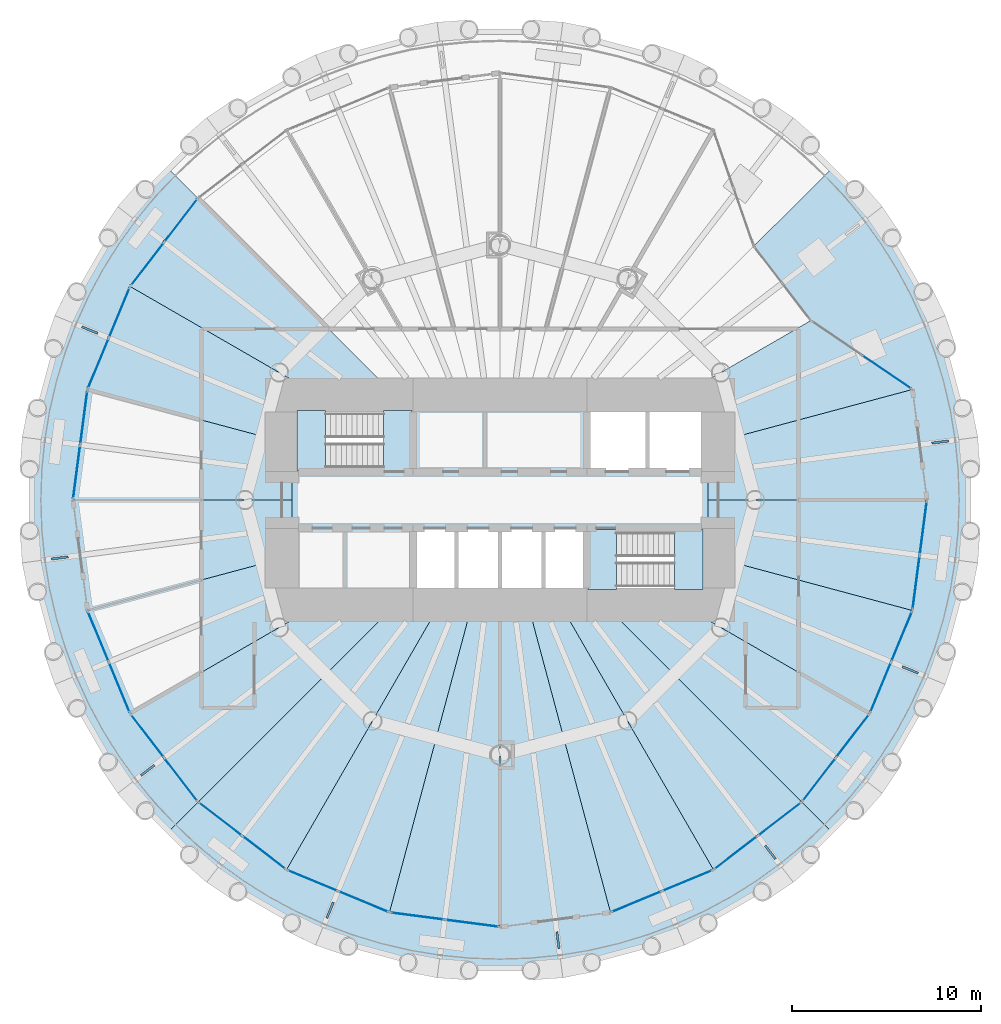
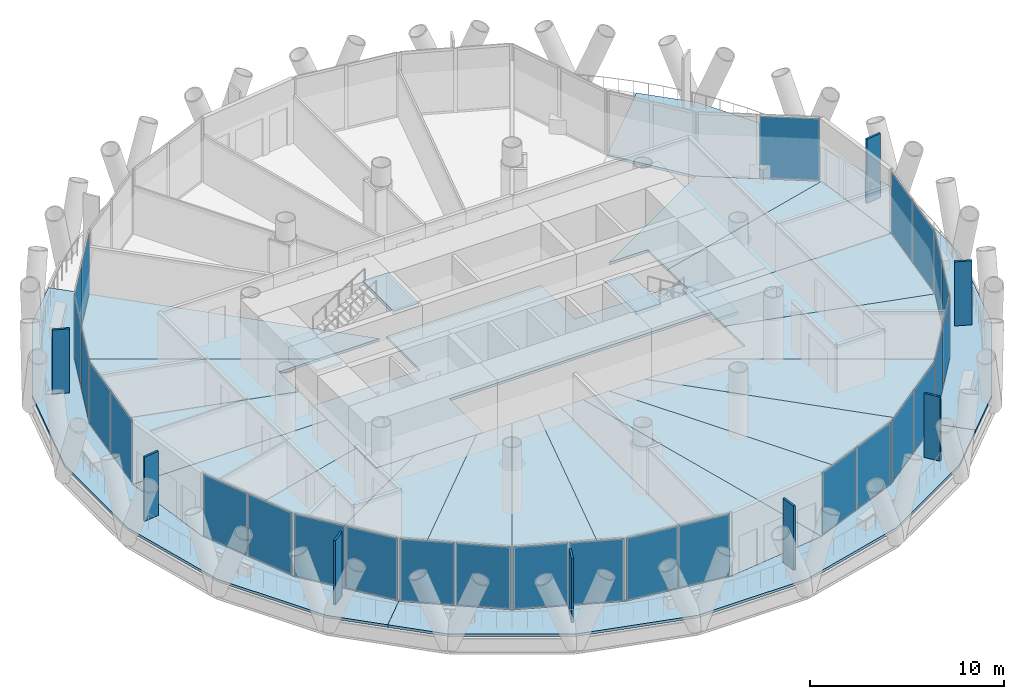
# One storey, part 8 of 16: 35 plates, 25 slabs, 16 elements without a shape of their own.
"""IFC4 building model written with IfcOpenShell, lengths in metres."""

from ifc_helpers import new_model, si_unit, direction, frame, origin, origin_2d, place, context, subcontext, project, spatial, polyline, rectangle, outline, extrude, material, layer, layer_set, type_object, element, aggregate, save


model = new_model("IFC4")

# Units and contexts
model_context = context("Model", 3, precision=1e-05, world=origin(), true_north=direction((0.0, 1.0)))
body_context = subcontext(model_context, "Body", "Model", "MODEL_VIEW")
ifc_project = project(units=[si_unit("LENGTHUNIT", "METRE"), si_unit("AREAUNIT", "SQUARE_METRE"), si_unit("VOLUMEUNIT", "CUBIC_METRE"), si_unit("PLANEANGLEUNIT", "RADIAN"), si_unit("MASSUNIT", "GRAM", prefix="KILO")], contexts=[model_context])

# Site, building, storey
site_placement = place(None, origin())
site = spatial("IfcSite", under=ifc_project, at=site_placement, CompositionType="ELEMENT")
building_placement = place(site_placement, origin())
building = spatial("IfcBuilding", under=site, at=building_placement, Name="Qaws Media Tower", CompositionType="ELEMENT")
storey_placement = place(building_placement, frame((0.0, 0.0, 135.199951171875)))
storey = spatial("IfcBuildingStorey", under=building, at=storey_placement, Name="L30", CompositionType="ELEMENT", Elevation=135.199951171875)

# Slabs
ifc_material_1 = material(Name="Concrete C35/45", Category="concrete")
ifc_layer_1 = layer(ifc_material_1, 0.159912109375)
ifc_layer_set_1 = layer_set([ifc_layer_1], Name="Composite balcony slab 160")
slab_type_1 = type_object("IfcSlabType", Name="Composite balcony slab 160", PredefinedType="FLOOR", material=ifc_layer_set_1)
slab_1_placement = place(storey_placement, frame((0.0, 0.0, -0.159912109375)))
element("IfcSlab", 1, at=slab_1_placement, inside=storey, type_object=slab_type_1, Name="S2 balcony slab L30 R10 to R16, movement joints on R10 and R16", PredefinedType="FLOOR", context=body_context, shape_type="SweptSolid", body=[
    extrude(outline(polyline([(40.166259765625, 34.781005859375), (36.903076171875, 40.432861328125), (35.2138671875, 46.73681640625), (35.2138671875, 53.26318359375), (36.903076171875, 59.567138671875), (40.166259765625, 65.218994140625), (42.4736328125, 67.5263671875), (44.019287109375, 65.980712890625), (40.427734375, 61.300048828125), (38.170166015625, 55.849365234375), (37.39990234375, 50.0), (38.170166015625, 44.150634765625), (40.427734375, 38.699951171875), (44.019287109375, 34.019287109375), (42.4736328125, 32.4736328125), (40.166259765625, 34.781005859375)])), origin(), (0.0, 0.0, 1.0), 0.159912109375),
])
slab_2_placement = place(storey_placement, frame((0.0, 0.0, -0.159912109375)))
element("IfcSlab", 2, at=slab_2_placement, inside=storey, type_object=slab_type_1, Name="S2 balcony slab L30 R16 to R22, movement joints on R16 and R22", PredefinedType="FLOOR", context=body_context, shape_type="SweptSolid", body=[
    extrude(outline(polyline([(75.218994140625, 30.166259765625), (69.567138671875, 26.903076171875), (63.26318359375, 25.2138671875), (56.73681640625, 25.2138671875), (50.432861328125, 26.903076171875), (44.781005859375, 30.166259765625), (42.4736328125, 32.4736328125), (44.019287109375, 34.019287109375), (48.699951171875, 30.427734375), (54.150634765625, 28.170166015625), (60.0, 27.39990234375), (65.849365234375, 28.170166015625), (71.300048828125, 30.427734375), (75.980712890625, 34.019287109375), (77.5263671875, 32.4736328125), (75.218994140625, 30.166259765625)])), origin(), (0.0, 0.0, 1.0), 0.159912109375),
])
slab_3_placement = place(storey_placement, frame((0.0, 0.0, -0.159912109375)))
element("IfcSlab", 3, at=slab_3_placement, inside=storey, type_object=slab_type_1, Name="S2 balcony slab L30 R22 to R04, movement joints on R22 and R04", PredefinedType="FLOOR", context=body_context, shape_type="SweptSolid", body=[
    extrude(outline(polyline([(83.096923828125, 40.432861328125), (79.833740234375, 34.781005859375), (77.5263671875, 32.4736328125), (75.980712890625, 34.019287109375), (79.572265625, 38.699951171875), (81.829833984375, 44.150634765625), (82.60009765625, 50.0), (81.829833984375, 55.849365234375), (76.45458984375, 59.5), (73.43505859375, 63.43505859375), (77.5263671875, 67.5263671875), (79.833740234375, 65.218994140625), (83.096923828125, 59.567138671875), (84.7861328125, 53.26318359375), (84.7861328125, 46.73681640625), (83.096923828125, 40.432861328125)])), origin(), (0.0, 0.0, 1.0), 0.159912109375),
])
ifc_material_2 = material(Name="Concrete C35/45", Category="concrete")
ifc_layer_2 = layer(ifc_material_2, 0.159912109375)
ifc_layer_set_2 = layer_set([ifc_layer_2], Name="Composite floor slab 160")
slab_type_2 = type_object("IfcSlabType", Name="Composite floor slab 160", PredefinedType="FLOOR", material=ifc_layer_set_2)
slab_4_placement = place(storey_placement, frame((0.0, 0.0, -0.159912109375)))
element("IfcSlab", 4, at=slab_4_placement, inside=storey, type_object=slab_type_2, Name="S1 core floor slab L30", PredefinedType="FLOOR", context=body_context, shape_type="SweptSolid", body=[
    extrude(outline(polyline([(71.0, 51.5), (71.0, 48.5), (55.39990234375, 48.5), (55.39990234375, 45.0), (49.0, 45.0), (49.0, 51.5), (55.39990234375, 51.5), (55.39990234375, 55.0), (64.60009765625, 55.0), (64.60009765625, 51.5), (71.0, 51.5)])), origin(), (0.0, 0.0, 1.0), 0.159912109375),
])
slab_5_placement = place(storey_placement, frame((0.0, 0.0, -0.159912109375)))
element("IfcSlab", 5, at=slab_5_placement, inside=storey, type_object=slab_type_2, Name="S1 floor panel L30 on R01+7.5", PredefinedType="FLOOR", context=body_context, shape_type="SweptSolid", body=[
    extrude(outline(polyline([(81.829833984375, 55.849365234375), (82.60009765625, 50.0), (71.0, 50.0), (71.0, 52.947509765625), (81.829833984375, 55.849365234375)])), origin(), (0.0, 0.0, 1.0), 0.159912109375),
])
slab_6_placement = place(storey_placement, frame((0.0, 0.0, -0.159912109375)))
element("IfcSlab", 6, at=slab_6_placement, inside=storey, type_object=slab_type_2, Name="S1 floor panel L30 on R02+7.5", PredefinedType="FLOOR", context=body_context, shape_type="SweptSolid", body=[
    extrude(outline(polyline([(76.45458984375, 59.5), (81.829833984375, 55.849365234375), (71.0, 52.947509765625), (71.0, 55.0), (68.660400390625, 55.0), (76.45458984375, 59.5)])), origin(), (0.0, 0.0, 1.0), 0.159912109375),
])
slab_7_placement = place(storey_placement, frame((0.0, 0.0, -0.159912109375)))
element("IfcSlab", 7, at=slab_7_placement, inside=storey, type_object=slab_type_2, Name="S1 floor panel L30 on R10+7.5", PredefinedType="FLOOR", context=body_context, shape_type="SweptSolid", body=[
    extrude(outline(polyline([(40.427734375, 61.300048828125), (44.019287109375, 65.980712890625), (55.0, 55.0), (51.339599609375, 55.0), (40.427734375, 61.300048828125)])), origin(), (0.0, 0.0, 1.0), 0.159912109375),
])
slab_8_placement = place(storey_placement, frame((0.0, 0.0, -0.159912109375)))
element("IfcSlab", 8, at=slab_8_placement, inside=storey, type_object=slab_type_2, Name="S1 floor panel L30 on R11+7.5", PredefinedType="FLOOR", context=body_context, shape_type="SweptSolid", body=[
    extrude(outline(polyline([(40.427734375, 61.300048828125), (51.339599609375, 55.0), (49.0, 55.0), (49.0, 52.947509765625), (38.170166015625, 55.849365234375), (40.427734375, 61.300048828125)])), origin(), (0.0, 0.0, 1.0), 0.159912109375),
])
slab_9_placement = place(storey_placement, frame((0.0, 0.0, -0.159912109375)))
element("IfcSlab", 9, at=slab_9_placement, inside=storey, type_object=slab_type_2, Name="S1 floor panel L30 on R12+7.5", PredefinedType="FLOOR", context=body_context, shape_type="SweptSolid", body=[
    extrude(outline(polyline([(38.170166015625, 55.849365234375), (49.0, 52.947509765625), (49.0, 50.0), (37.39990234375, 50.0), (38.170166015625, 55.849365234375)])), origin(), (0.0, 0.0, 1.0), 0.159912109375),
])
slab_10_placement = place(storey_placement, frame((0.0, 0.0, -0.159912109375)))
element("IfcSlab", 10, at=slab_10_placement, inside=storey, type_object=slab_type_2, Name="S1 floor panel L30 on R13+7.5", PredefinedType="FLOOR", context=body_context, shape_type="SweptSolid", body=[
    extrude(outline(polyline([(38.170166015625, 44.150634765625), (37.39990234375, 50.0), (49.0, 50.0), (49.0, 47.052490234375), (38.170166015625, 44.150634765625)])), origin(), (0.0, 0.0, 1.0), 0.159912109375),
])
slab_11_placement = place(storey_placement, frame((0.0, 0.0, -0.159912109375)))
element("IfcSlab", 11, at=slab_11_placement, inside=storey, type_object=slab_type_2, Name="S1 floor panel L30 on R14+7.5", PredefinedType="FLOOR", context=body_context, shape_type="SweptSolid", body=[
    extrude(outline(polyline([(38.170166015625, 44.150634765625), (49.0, 47.052490234375), (49.0, 45.0), (51.339599609375, 45.0), (40.427734375, 38.699951171875), (38.170166015625, 44.150634765625)])), origin(), (0.0, 0.0, 1.0), 0.159912109375),
])
slab_12_placement = place(storey_placement, frame((0.0, 0.0, -0.159912109375)))
element("IfcSlab", 12, at=slab_12_placement, inside=storey, type_object=slab_type_2, Name="S1 floor panel L30 on R15+7.5", PredefinedType="FLOOR", context=body_context, shape_type="SweptSolid", body=[
    extrude(outline(polyline([(40.427734375, 38.699951171875), (51.339599609375, 45.0), (55.0, 45.0), (44.019287109375, 34.019287109375), (40.427734375, 38.699951171875)])), origin(), (0.0, 0.0, 1.0), 0.159912109375),
])
slab_13_placement = place(storey_placement, frame((0.0, 0.0, -0.159912109375)))
element("IfcSlab", 13, at=slab_13_placement, inside=storey, type_object=slab_type_2, Name="S1 floor panel L30 on R16+7.5", PredefinedType="FLOOR", context=body_context, shape_type="SweptSolid", body=[
    extrude(outline(polyline([(48.699951171875, 30.427734375), (44.019287109375, 34.019287109375), (55.0, 45.0), (57.11328125, 45.0), (48.699951171875, 30.427734375)])), origin(), (0.0, 0.0, 1.0), 0.159912109375),
])
slab_14_placement = place(storey_placement, frame((0.0, 0.0, -0.159912109375)))
element("IfcSlab", 14, at=slab_14_placement, inside=storey, type_object=slab_type_2, Name="S1 floor panel L30 on R17+7.5", PredefinedType="FLOOR", context=body_context, shape_type="SweptSolid", body=[
    extrude(outline(polyline([(48.699951171875, 30.427734375), (57.11328125, 45.0), (58.660400390625, 45.0), (54.150634765625, 28.170166015625), (48.699951171875, 30.427734375)])), origin(), (0.0, 0.0, 1.0), 0.159912109375),
])
slab_15_placement = place(storey_placement, frame((0.0, 0.0, -0.159912109375)))
element("IfcSlab", 15, at=slab_15_placement, inside=storey, type_object=slab_type_2, Name="S1 floor panel L30 on R18+7.5", PredefinedType="FLOOR", context=body_context, shape_type="SweptSolid", body=[
    extrude(outline(polyline([(54.150634765625, 28.170166015625), (58.660400390625, 45.0), (60.0, 45.0), (60.0, 27.39990234375), (54.150634765625, 28.170166015625)])), origin(), (0.0, 0.0, 1.0), 0.159912109375),
])
slab_16_placement = place(storey_placement, frame((0.0, 0.0, -0.159912109375)))
element("IfcSlab", 16, at=slab_16_placement, inside=storey, type_object=slab_type_2, Name="S1 floor panel L30 on R19+7.5", PredefinedType="FLOOR", context=body_context, shape_type="SweptSolid", body=[
    extrude(outline(polyline([(65.849365234375, 28.170166015625), (60.0, 27.39990234375), (60.0, 45.0), (61.339599609375, 45.0), (65.849365234375, 28.170166015625)])), origin(), (0.0, 0.0, 1.0), 0.159912109375),
])
slab_17_placement = place(storey_placement, frame((0.0, 0.0, -0.159912109375)))
element("IfcSlab", 17, at=slab_17_placement, inside=storey, type_object=slab_type_2, Name="S1 floor panel L30 on R20+7.5", PredefinedType="FLOOR", context=body_context, shape_type="SweptSolid", body=[
    extrude(outline(polyline([(65.849365234375, 28.170166015625), (61.339599609375, 45.0), (62.88671875, 45.0), (71.300048828125, 30.427734375), (65.849365234375, 28.170166015625)])), origin(), (0.0, 0.0, 1.0), 0.159912109375),
])
slab_18_placement = place(storey_placement, frame((0.0, 0.0, -0.159912109375)))
element("IfcSlab", 18, at=slab_18_placement, inside=storey, type_object=slab_type_2, Name="S1 floor panel L30 on R21+7.5", PredefinedType="FLOOR", context=body_context, shape_type="SweptSolid", body=[
    extrude(outline(polyline([(75.980712890625, 34.019287109375), (71.300048828125, 30.427734375), (62.88671875, 45.0), (65.0, 45.0), (75.980712890625, 34.019287109375)])), origin(), (0.0, 0.0, 1.0), 0.159912109375),
])
slab_19_placement = place(storey_placement, frame((0.0, 0.0, -0.159912109375)))
element("IfcSlab", 19, at=slab_19_placement, inside=storey, type_object=slab_type_2, Name="S1 floor panel L30 on R22+7.5", PredefinedType="FLOOR", context=body_context, shape_type="SweptSolid", body=[
    extrude(outline(polyline([(79.572265625, 38.699951171875), (75.980712890625, 34.019287109375), (65.0, 45.0), (68.660400390625, 45.0), (79.572265625, 38.699951171875)])), origin(), (0.0, 0.0, 1.0), 0.159912109375),
])
slab_20_placement = place(storey_placement, frame((0.0, 0.0, -0.159912109375)))
element("IfcSlab", 20, at=slab_20_placement, inside=storey, type_object=slab_type_2, Name="S1 floor panel L30 on R23+7.5", PredefinedType="FLOOR", context=body_context, shape_type="SweptSolid", body=[
    extrude(outline(polyline([(79.572265625, 38.699951171875), (68.660400390625, 45.0), (71.0, 45.0), (71.0, 47.052490234375), (81.829833984375, 44.150634765625), (79.572265625, 38.699951171875)])), origin(), (0.0, 0.0, 1.0), 0.159912109375),
])
slab_21_placement = place(storey_placement, frame((0.0, 0.0, -0.159912109375)))
element("IfcSlab", 21, at=slab_21_placement, inside=storey, type_object=slab_type_2, Name="S1 floor panel L30 on R24+7.5", PredefinedType="FLOOR", context=body_context, shape_type="SweptSolid", body=[
    extrude(outline(polyline([(81.829833984375, 44.150634765625), (71.0, 47.052490234375), (71.0, 50.0), (82.60009765625, 50.0), (81.829833984375, 44.150634765625)])), origin(), (0.0, 0.0, 1.0), 0.159912109375),
])

# Curtain wall, plate
ifc_material_3 = material(Name="Aluminium and clear glass", Category="aluminium")
curtain_wall_type_1 = type_object("IfcCurtainWallType", Name="Loggia curtain wall CW-G", PredefinedType="NOTDEFINED", material=ifc_material_3)
curtain_wall_1_placement = place(storey_placement, origin())
curtain_wall_1 = element("IfcCurtainWall", 22, at=curtain_wall_1_placement, inside=storey, type_object=curtain_wall_type_1, Name="CWG curtain wall L30-02", PredefinedType="NOTDEFINED")
ifc_material_4 = material(Name="Clear laminated double glazing", Category="glass")
ifc_layer_3 = layer(ifc_material_4, 0.031982421875)
ifc_layer_set_3 = layer_set([ifc_layer_3], Name="Curtain wall glass unit 32")
plate_type_1 = type_object("IfcPlateType", Name="Curtain wall glass unit 32", PredefinedType="CURTAIN_PANEL", material=ifc_layer_set_3)
plate_1_placement = place(storey_placement, frame((80.469482421875, 56.773193359375, 0.080078125), z_axis=(0.0, 0.0, 1.0), x_axis=(-0.82725624153, 0.561824804409, 0.0)))
plate_1 = element("IfcPlate", 23, at=plate_1_placement, type_object=plate_type_1, Name="CWG panel 1.1", PredefinedType="CURTAIN_PANEL", context=body_context, shape_type="SweptSolid", body=[
    extrude(rectangle(XDim=3.12890625, YDim=0.031982421875, at=origin_2d()), origin(), (0.0, 0.0, 1.0), 3.8798828125),
])
aggregate(curtain_wall_1, [plate_1])

# Curtain wall, plates
ifc_material_5 = material(Name="Aluminium and clear glass", Category="aluminium")
curtain_wall_type_2 = type_object("IfcCurtainWallType", Name="Unitised curtain wall CW-B", PredefinedType="NOTDEFINED", material=ifc_material_5)
curtain_wall_2_placement = place(storey_placement, origin())
curtain_wall_2 = element("IfcCurtainWall", 24, at=curtain_wall_2_placement, inside=storey, type_object=curtain_wall_type_2, Name="CWB curtain wall L30-10", PredefinedType="NOTDEFINED")
plate_2_placement = place(storey_placement, frame((43.109375, 64.794677734375, 0.080078125), z_axis=(0.0, 0.0, 1.0), x_axis=(-0.608761463667, -0.793353313697, 0.0)))
plate_2 = element("IfcPlate", 25, at=plate_2_placement, type_object=plate_type_1, Name="CWB panel 1.1", PredefinedType="CURTAIN_PANEL", context=body_context, shape_type="SweptSolid", body=[
    extrude(rectangle(XDim=2.829833984375, YDim=0.031982421875, at=origin_2d()), origin(), (0.0, 0.0, 1.0), 3.8798828125),
])
plate_3_placement = place(storey_placement, frame((41.337890625, 62.486083984375, 0.080078125), z_axis=(0.0, 0.0, 1.0), x_axis=(-0.608761463667, -0.793353313697, 0.0)))
plate_3 = element("IfcPlate", 26, at=plate_3_placement, type_object=plate_type_1, Name="CWB panel 2.1", PredefinedType="CURTAIN_PANEL", context=body_context, shape_type="SweptSolid", body=[
    extrude(rectangle(XDim=2.829833984375, YDim=0.031982421875, at=origin_2d()), origin(), (0.0, 0.0, 1.0), 3.8798828125),
])
aggregate(curtain_wall_2, [plate_2, plate_3])

curtain_wall_3_placement = place(storey_placement, origin())
curtain_wall_3 = element("IfcCurtainWall", 27, at=curtain_wall_3_placement, inside=storey, type_object=curtain_wall_type_2, Name="CWB curtain wall L30-11", PredefinedType="NOTDEFINED")
plate_4_placement = place(storey_placement, frame((39.855712890625, 59.9189453125, 0.080078125), z_axis=(0.0, 0.0, 1.0), x_axis=(-0.382683472548, -0.923879515867, 0.0)))
plate_4 = element("IfcPlate", 28, at=plate_4_placement, type_object=plate_type_1, Name="CWB panel 1.1", PredefinedType="CURTAIN_PANEL", context=body_context, shape_type="SweptSolid", body=[
    extrude(rectangle(XDim=2.829833984375, YDim=0.031982421875, at=origin_2d()), origin(), (0.0, 0.0, 1.0), 3.8798828125),
])
plate_5_placement = place(storey_placement, frame((38.7421875, 57.23046875, 0.080078125), z_axis=(0.0, 0.0, 1.0), x_axis=(-0.382683472548, -0.923879515867, 0.0)))
plate_5 = element("IfcPlate", 29, at=plate_5_placement, type_object=plate_type_1, Name="CWB panel 2.1", PredefinedType="CURTAIN_PANEL", context=body_context, shape_type="SweptSolid", body=[
    extrude(rectangle(XDim=2.829833984375, YDim=0.031982421875, at=origin_2d()), origin(), (0.0, 0.0, 1.0), 3.8798828125),
])
aggregate(curtain_wall_3, [plate_4, plate_5])

curtain_wall_4_placement = place(storey_placement, origin())
curtain_wall_4 = element("IfcCurtainWall", 30, at=curtain_wall_4_placement, inside=storey, type_object=curtain_wall_type_2, Name="CWB curtain wall L30-12", PredefinedType="NOTDEFINED")
plate_6_placement = place(storey_placement, frame((37.974853515625, 54.3671875, 0.080078125), z_axis=(0.0, 0.0, 1.0), x_axis=(-0.130526147126, -0.991444867311, 0.0)))
plate_6 = element("IfcPlate", 31, at=plate_6_placement, type_object=plate_type_1, Name="CWB panel 1.1", PredefinedType="CURTAIN_PANEL", context=body_context, shape_type="SweptSolid", body=[
    extrude(rectangle(XDim=2.829833984375, YDim=0.031982421875, at=origin_2d()), origin(), (0.0, 0.0, 1.0), 3.8798828125),
])
plate_7_placement = place(storey_placement, frame((37.59521484375, 51.482177734375, 0.080078125), z_axis=(0.0, 0.0, 1.0), x_axis=(-0.130526147126, -0.991444867311, 0.0)))
plate_7 = element("IfcPlate", 32, at=plate_7_placement, type_object=plate_type_1, Name="CWB panel 2.1", PredefinedType="CURTAIN_PANEL", context=body_context, shape_type="SweptSolid", body=[
    extrude(rectangle(XDim=2.829833984375, YDim=0.031982421875, at=origin_2d()), origin(), (0.0, 0.0, 1.0), 3.8798828125),
])
aggregate(curtain_wall_4, [plate_6, plate_7])

curtain_wall_5_placement = place(storey_placement, origin())
curtain_wall_5 = element("IfcCurtainWall", 33, at=curtain_wall_5_placement, inside=storey, type_object=curtain_wall_type_2, Name="CWB curtain wall L30-14", PredefinedType="NOTDEFINED")
plate_8_placement = place(storey_placement, frame((38.7421875, 42.76953125, 0.080078125), z_axis=(0.0, 0.0, 1.0), x_axis=(0.382683472548, -0.923879515867, 0.0)))
plate_8 = element("IfcPlate", 34, at=plate_8_placement, type_object=plate_type_1, Name="CWB panel 1.1", PredefinedType="CURTAIN_PANEL", context=body_context, shape_type="SweptSolid", body=[
    extrude(rectangle(XDim=2.829833984375, YDim=0.031982421875, at=origin_2d()), origin(), (0.0, 0.0, 1.0), 3.8798828125),
])
plate_9_placement = place(storey_placement, frame((39.855712890625, 40.0810546875, 0.080078125), z_axis=(0.0, 0.0, 1.0), x_axis=(0.382683472548, -0.923879515867, 0.0)))
plate_9 = element("IfcPlate", 35, at=plate_9_placement, type_object=plate_type_1, Name="CWB panel 2.1", PredefinedType="CURTAIN_PANEL", context=body_context, shape_type="SweptSolid", body=[
    extrude(rectangle(XDim=2.829833984375, YDim=0.031982421875, at=origin_2d()), origin(), (0.0, 0.0, 1.0), 3.8798828125),
])
aggregate(curtain_wall_5, [plate_8, plate_9])

curtain_wall_6_placement = place(storey_placement, origin())
curtain_wall_6 = element("IfcCurtainWall", 36, at=curtain_wall_6_placement, inside=storey, type_object=curtain_wall_type_2, Name="CWB curtain wall L30-15", PredefinedType="NOTDEFINED")
plate_10_placement = place(storey_placement, frame((41.337890625, 37.513916015625, 0.080078125), z_axis=(0.0, 0.0, 1.0), x_axis=(0.608761463667, -0.793353313697, 0.0)))
plate_10 = element("IfcPlate", 37, at=plate_10_placement, type_object=plate_type_1, Name="CWB panel 1.1", PredefinedType="CURTAIN_PANEL", context=body_context, shape_type="SweptSolid", body=[
    extrude(rectangle(XDim=2.829833984375, YDim=0.031982421875, at=origin_2d()), origin(), (0.0, 0.0, 1.0), 3.8798828125),
])
plate_11_placement = place(storey_placement, frame((43.109375, 35.205322265625, 0.080078125), z_axis=(0.0, 0.0, 1.0), x_axis=(0.608761463667, -0.793353313697, 0.0)))
plate_11 = element("IfcPlate", 38, at=plate_11_placement, type_object=plate_type_1, Name="CWB panel 2.1", PredefinedType="CURTAIN_PANEL", context=body_context, shape_type="SweptSolid", body=[
    extrude(rectangle(XDim=2.829833984375, YDim=0.031982421875, at=origin_2d()), origin(), (0.0, 0.0, 1.0), 3.8798828125),
])
aggregate(curtain_wall_6, [plate_10, plate_11])

curtain_wall_7_placement = place(storey_placement, origin())
curtain_wall_7 = element("IfcCurtainWall", 39, at=curtain_wall_7_placement, inside=storey, type_object=curtain_wall_type_2, Name="CWB curtain wall L30-16", PredefinedType="NOTDEFINED")
plate_12_placement = place(storey_placement, frame((45.205322265625, 33.109375, 0.080078125), z_axis=(0.0, 0.0, 1.0), x_axis=(0.793353313697, -0.608761463667, 0.0)))
plate_12 = element("IfcPlate", 40, at=plate_12_placement, type_object=plate_type_1, Name="CWB panel 1.1", PredefinedType="CURTAIN_PANEL", context=body_context, shape_type="SweptSolid", body=[
    extrude(rectangle(XDim=2.829833984375, YDim=0.031982421875, at=origin_2d()), origin(), (0.0, 0.0, 1.0), 3.8798828125),
])
plate_13_placement = place(storey_placement, frame((47.513916015625, 31.337890625, 0.080078125), z_axis=(0.0, 0.0, 1.0), x_axis=(0.793353313697, -0.608761463667, 0.0)))
plate_13 = element("IfcPlate", 41, at=plate_13_placement, type_object=plate_type_1, Name="CWB panel 2.1", PredefinedType="CURTAIN_PANEL", context=body_context, shape_type="SweptSolid", body=[
    extrude(rectangle(XDim=2.829833984375, YDim=0.031982421875, at=origin_2d()), origin(), (0.0, 0.0, 1.0), 3.8798828125),
])
aggregate(curtain_wall_7, [plate_12, plate_13])

curtain_wall_8_placement = place(storey_placement, origin())
curtain_wall_8 = element("IfcCurtainWall", 42, at=curtain_wall_8_placement, inside=storey, type_object=curtain_wall_type_2, Name="CWB curtain wall L30-17", PredefinedType="NOTDEFINED")
plate_14_placement = place(storey_placement, frame((50.0810546875, 29.855712890625, 0.080078125), z_axis=(0.0, 0.0, 1.0), x_axis=(0.923879515867, -0.382683472548, 0.0)))
plate_14 = element("IfcPlate", 43, at=plate_14_placement, type_object=plate_type_1, Name="CWB panel 1.1", PredefinedType="CURTAIN_PANEL", context=body_context, shape_type="SweptSolid", body=[
    extrude(rectangle(XDim=2.829833984375, YDim=0.031982421875, at=origin_2d()), origin(), (0.0, 0.0, 1.0), 3.8798828125),
])
plate_15_placement = place(storey_placement, frame((52.76953125, 28.7421875, 0.080078125), z_axis=(0.0, 0.0, 1.0), x_axis=(0.923879515867, -0.382683472548, 0.0)))
plate_15 = element("IfcPlate", 44, at=plate_15_placement, type_object=plate_type_1, Name="CWB panel 2.1", PredefinedType="CURTAIN_PANEL", context=body_context, shape_type="SweptSolid", body=[
    extrude(rectangle(XDim=2.829833984375, YDim=0.031982421875, at=origin_2d()), origin(), (0.0, 0.0, 1.0), 3.8798828125),
])
aggregate(curtain_wall_8, [plate_14, plate_15])

curtain_wall_9_placement = place(storey_placement, origin())
curtain_wall_9 = element("IfcCurtainWall", 45, at=curtain_wall_9_placement, inside=storey, type_object=curtain_wall_type_2, Name="CWB curtain wall L30-18", PredefinedType="NOTDEFINED")
plate_16_placement = place(storey_placement, frame((55.6328125, 27.974853515625, 0.080078125), z_axis=(0.0, 0.0, 1.0), x_axis=(0.991444867311, -0.130526147126, 0.0)))
plate_16 = element("IfcPlate", 46, at=plate_16_placement, type_object=plate_type_1, Name="CWB panel 1.1", PredefinedType="CURTAIN_PANEL", context=body_context, shape_type="SweptSolid", body=[
    extrude(rectangle(XDim=2.829833984375, YDim=0.031982421875, at=origin_2d()), origin(), (0.0, 0.0, 1.0), 3.8798828125),
])
plate_17_placement = place(storey_placement, frame((58.517822265625, 27.59521484375, 0.080078125), z_axis=(0.0, 0.0, 1.0), x_axis=(0.991444867311, -0.130526147126, 0.0)))
plate_17 = element("IfcPlate", 47, at=plate_17_placement, type_object=plate_type_1, Name="CWB panel 2.1", PredefinedType="CURTAIN_PANEL", context=body_context, shape_type="SweptSolid", body=[
    extrude(rectangle(XDim=2.829833984375, YDim=0.031982421875, at=origin_2d()), origin(), (0.0, 0.0, 1.0), 3.8798828125),
])
aggregate(curtain_wall_9, [plate_16, plate_17])

curtain_wall_10_placement = place(storey_placement, origin())
curtain_wall_10 = element("IfcCurtainWall", 48, at=curtain_wall_10_placement, inside=storey, type_object=curtain_wall_type_2, Name="CWB curtain wall L30-20", PredefinedType="NOTDEFINED")
plate_18_placement = place(storey_placement, frame((67.23046875, 28.7421875, 0.080078125), z_axis=(0.0, 0.0, 1.0), x_axis=(0.923879515867, 0.382683472548, 0.0)))
plate_18 = element("IfcPlate", 49, at=plate_18_placement, type_object=plate_type_1, Name="CWB panel 1.1", PredefinedType="CURTAIN_PANEL", context=body_context, shape_type="SweptSolid", body=[
    extrude(rectangle(XDim=2.829833984375, YDim=0.031982421875, at=origin_2d()), origin(), (0.0, 0.0, 1.0), 3.8798828125),
])
plate_19_placement = place(storey_placement, frame((69.9189453125, 29.855712890625, 0.080078125), z_axis=(0.0, 0.0, 1.0), x_axis=(0.923879515867, 0.382683472548, 0.0)))
plate_19 = element("IfcPlate", 50, at=plate_19_placement, type_object=plate_type_1, Name="CWB panel 2.1", PredefinedType="CURTAIN_PANEL", context=body_context, shape_type="SweptSolid", body=[
    extrude(rectangle(XDim=2.829833984375, YDim=0.031982421875, at=origin_2d()), origin(), (0.0, 0.0, 1.0), 3.8798828125),
])
aggregate(curtain_wall_10, [plate_18, plate_19])

curtain_wall_11_placement = place(storey_placement, origin())
curtain_wall_11 = element("IfcCurtainWall", 51, at=curtain_wall_11_placement, inside=storey, type_object=curtain_wall_type_2, Name="CWB curtain wall L30-21", PredefinedType="NOTDEFINED")
plate_20_placement = place(storey_placement, frame((72.486083984375, 31.337890625, 0.080078125), z_axis=(0.0, 0.0, 1.0), x_axis=(0.793353313697, 0.608761463667, 0.0)))
plate_20 = element("IfcPlate", 52, at=plate_20_placement, type_object=plate_type_1, Name="CWB panel 1.1", PredefinedType="CURTAIN_PANEL", context=body_context, shape_type="SweptSolid", body=[
    extrude(rectangle(XDim=2.829833984375, YDim=0.031982421875, at=origin_2d()), origin(), (0.0, 0.0, 1.0), 3.8798828125),
])
plate_21_placement = place(storey_placement, frame((74.794677734375, 33.109375, 0.080078125), z_axis=(0.0, 0.0, 1.0), x_axis=(0.793353313697, 0.608761463667, 0.0)))
plate_21 = element("IfcPlate", 53, at=plate_21_placement, type_object=plate_type_1, Name="CWB panel 2.1", PredefinedType="CURTAIN_PANEL", context=body_context, shape_type="SweptSolid", body=[
    extrude(rectangle(XDim=2.829833984375, YDim=0.031982421875, at=origin_2d()), origin(), (0.0, 0.0, 1.0), 3.8798828125),
])
aggregate(curtain_wall_11, [plate_20, plate_21])

curtain_wall_12_placement = place(storey_placement, origin())
curtain_wall_12 = element("IfcCurtainWall", 54, at=curtain_wall_12_placement, inside=storey, type_object=curtain_wall_type_2, Name="CWB curtain wall L30-22", PredefinedType="NOTDEFINED")
plate_22_placement = place(storey_placement, frame((76.890625, 35.205322265625, 0.080078125), z_axis=(0.0, 0.0, 1.0), x_axis=(0.608761463667, 0.793353313697, 0.0)))
plate_22 = element("IfcPlate", 55, at=plate_22_placement, type_object=plate_type_1, Name="CWB panel 1.1", PredefinedType="CURTAIN_PANEL", context=body_context, shape_type="SweptSolid", body=[
    extrude(rectangle(XDim=2.829833984375, YDim=0.031982421875, at=origin_2d()), origin(), (0.0, 0.0, 1.0), 3.8798828125),
])
plate_23_placement = place(storey_placement, frame((78.662109375, 37.513916015625, 0.080078125), z_axis=(0.0, 0.0, 1.0), x_axis=(0.608761463667, 0.793353313697, 0.0)))
plate_23 = element("IfcPlate", 56, at=plate_23_placement, type_object=plate_type_1, Name="CWB panel 2.1", PredefinedType="CURTAIN_PANEL", context=body_context, shape_type="SweptSolid", body=[
    extrude(rectangle(XDim=2.829833984375, YDim=0.031982421875, at=origin_2d()), origin(), (0.0, 0.0, 1.0), 3.8798828125),
])
aggregate(curtain_wall_12, [plate_22, plate_23])

curtain_wall_13_placement = place(storey_placement, origin())
curtain_wall_13 = element("IfcCurtainWall", 57, at=curtain_wall_13_placement, inside=storey, type_object=curtain_wall_type_2, Name="CWB curtain wall L30-23", PredefinedType="NOTDEFINED")
plate_24_placement = place(storey_placement, frame((80.144287109375, 40.0810546875, 0.080078125), z_axis=(0.0, 0.0, 1.0), x_axis=(0.382683472548, 0.923879515867, 0.0)))
plate_24 = element("IfcPlate", 58, at=plate_24_placement, type_object=plate_type_1, Name="CWB panel 1.1", PredefinedType="CURTAIN_PANEL", context=body_context, shape_type="SweptSolid", body=[
    extrude(rectangle(XDim=2.829833984375, YDim=0.031982421875, at=origin_2d()), origin(), (0.0, 0.0, 1.0), 3.8798828125),
])
plate_25_placement = place(storey_placement, frame((81.2578125, 42.76953125, 0.080078125), z_axis=(0.0, 0.0, 1.0), x_axis=(0.382683472548, 0.923879515867, 0.0)))
plate_25 = element("IfcPlate", 59, at=plate_25_placement, type_object=plate_type_1, Name="CWB panel 2.1", PredefinedType="CURTAIN_PANEL", context=body_context, shape_type="SweptSolid", body=[
    extrude(rectangle(XDim=2.829833984375, YDim=0.031982421875, at=origin_2d()), origin(), (0.0, 0.0, 1.0), 3.8798828125),
])
aggregate(curtain_wall_13, [plate_24, plate_25])

curtain_wall_14_placement = place(storey_placement, origin())
curtain_wall_14 = element("IfcCurtainWall", 60, at=curtain_wall_14_placement, inside=storey, type_object=curtain_wall_type_2, Name="CWB curtain wall L30-24", PredefinedType="NOTDEFINED")
plate_26_placement = place(storey_placement, frame((82.025146484375, 45.6328125, 0.080078125), z_axis=(0.0, 0.0, 1.0), x_axis=(0.130526147126, 0.991444867311, 0.0)))
plate_26 = element("IfcPlate", 61, at=plate_26_placement, type_object=plate_type_1, Name="CWB panel 1.1", PredefinedType="CURTAIN_PANEL", context=body_context, shape_type="SweptSolid", body=[
    extrude(rectangle(XDim=2.829833984375, YDim=0.031982421875, at=origin_2d()), origin(), (0.0, 0.0, 1.0), 3.8798828125),
])
plate_27_placement = place(storey_placement, frame((82.40478515625, 48.517822265625, 0.080078125), z_axis=(0.0, 0.0, 1.0), x_axis=(0.130526147126, 0.991444867311, 0.0)))
plate_27 = element("IfcPlate", 62, at=plate_27_placement, type_object=plate_type_1, Name="CWB panel 2.1", PredefinedType="CURTAIN_PANEL", context=body_context, shape_type="SweptSolid", body=[
    extrude(rectangle(XDim=2.829833984375, YDim=0.031982421875, at=origin_2d()), origin(), (0.0, 0.0, 1.0), 3.8798828125),
])
aggregate(curtain_wall_14, [plate_26, plate_27])

# Plates
ifc_material_6 = material(Name="Precast concrete screen fin", Category="concrete")
ifc_layer_4 = layer(ifc_material_6, 0.1201171875)
ifc_layer_set_4 = layer_set([ifc_layer_4], Name="Screen fin 120x900")
plate_type_2 = type_object("IfcPlateType", Name="Screen fin 120x900", PredefinedType="USERDEFINED", material=ifc_layer_set_4)
for number, where, z_axis, x_axis, name in (
    (63, (83.299072265625, 53.0673828125, 0.0), (0.0, 0.0, 1.0), (0.991444861374, 0.13052619222, 0.0), "SCR1 screen fin L30-01"),
    (64, (38.288818359375, 58.9931640625, 0.0), (0.0, 0.0, 1.0), (-0.923879532511, 0.382683432365, 0.0), "SCR1 screen fin L30-06"),
    (65, (36.700927734375, 46.9326171875, 0.0), (0.0, 0.0, 1.0), (-0.991444861374, -0.13052619222, 0.0), "SCR1 screen fin L30-07"),
    (66, (41.356201171875, 35.694091796875, 0.0), (0.0, 0.0, 1.0), (-0.793353340291, -0.608761429009, 0.0), "SCR1 screen fin L30-08"),
    (67, (51.0068359375, 28.288818359375, 0.0), (0.0, 0.0, 1.0), (-0.382683432365, -0.923879532511, 0.0), "SCR1 screen fin L30-09"),
    (68, (63.0673828125, 26.700927734375, 0.0), (0.0, 0.0, 1.0), (0.13052619222, -0.991444861374, 0.0), "SCR1 screen fin L30-10"),
    (69, (74.305908203125, 31.356201171875, 0.0), (0.0, 0.0, 1.0), (0.608761429009, -0.793353340291, 0.0), "SCR1 screen fin L30-11"),
    (70, (81.711181640625, 41.0068359375, 0.0), (0.0, 0.0, 1.0), (0.923879532511, -0.382683432365, 0.0), "SCR1 screen fin L30-12"),
):
    element("IfcPlate", number, at=place(storey_placement, frame(where, z_axis=z_axis, x_axis=x_axis)), inside=storey, type_object=plate_type_2, Name=name, ObjectType="SCREEN", PredefinedType="USERDEFINED", context=body_context, shape_type="SweptSolid", body=[
        extrude(rectangle(XDim=0.89990234375, YDim=0.1201171875, at=origin_2d()), origin(), (0.0, 0.0, 1.0), 4.0400390625),
    ])

# Stair, slabs
ifc_material_7 = material(Name="Concrete C40/50", Category="concrete")
stair_type = type_object("IfcStairType", Name="Exit stair", PredefinedType="HALF_TURN_STAIR", material=ifc_material_7)
stair_1_placement = place(storey_placement, origin())
stair_1 = element("IfcStair", 71, at=stair_1_placement, inside=storey, type_object=stair_type, Name="S1 exit stair L30", PredefinedType="HALF_TURN_STAIR")
ifc_material_8 = material(Name="Concrete C40/50", Category="concrete")
ifc_layer_5 = layer(ifc_material_8, 0.199951171875)
ifc_layer_set_5 = layer_set([ifc_layer_5], Name="Stair landing 200")
slab_type_3 = type_object("IfcSlabType", Name="Stair landing 200", PredefinedType="LANDING", material=ifc_layer_set_5)
slab_22_placement = place(storey_placement, frame((0.0, 0.0, 1.900146484375)))
slab_22 = element("IfcSlab", 72, at=slab_22_placement, type_object=slab_type_3, Name="S1 landing 1", PredefinedType="LANDING", context=body_context, shape_type="SweptSolid", body=[
    extrude(outline(polyline([(49.25, 51.550048828125), (50.760009765625, 51.550048828125), (50.760009765625, 54.75), (49.25, 54.75), (49.25, 51.550048828125)])), origin(), (0.0, 0.0, 1.0), 0.199951171875),
])
slab_23_placement = place(storey_placement, frame((0.0, 0.0, 4.0)))
slab_23 = element("IfcSlab", 73, at=slab_23_placement, type_object=slab_type_3, Name="S1 landing 2", PredefinedType="LANDING", context=body_context, shape_type="SweptSolid", body=[
    extrude(outline(polyline([(53.840087890625, 51.550048828125), (55.35009765625, 51.550048828125), (55.35009765625, 54.75), (53.840087890625, 54.75), (53.840087890625, 51.550048828125)])), origin(), (0.0, 0.0, 1.0), 0.199951171875),
])
aggregate(stair_1, [slab_22, slab_23])

stair_2_placement = place(storey_placement, origin())
stair_2 = element("IfcStair", 74, at=stair_2_placement, inside=storey, type_object=stair_type, Name="S2 exit stair L30", PredefinedType="HALF_TURN_STAIR")
slab_24_placement = place(storey_placement, frame((0.0, 0.0, 1.900146484375)))
slab_24 = element("IfcSlab", 75, at=slab_24_placement, type_object=slab_type_3, Name="S2 landing 1", PredefinedType="LANDING", context=body_context, shape_type="SweptSolid", body=[
    extrude(outline(polyline([(69.239990234375, 45.25), (70.75, 45.25), (70.75, 48.449951171875), (69.239990234375, 48.449951171875), (69.239990234375, 45.25)])), origin(), (0.0, 0.0, 1.0), 0.199951171875),
])
slab_25_placement = place(storey_placement, frame((0.0, 0.0, 4.0)))
slab_25 = element("IfcSlab", 76, at=slab_25_placement, type_object=slab_type_3, Name="S2 landing 2", PredefinedType="LANDING", context=body_context, shape_type="SweptSolid", body=[
    extrude(outline(polyline([(64.64990234375, 45.25), (66.159912109375, 45.25), (66.159912109375, 48.449951171875), (64.64990234375, 48.449951171875), (64.64990234375, 45.25)])), origin(), (0.0, 0.0, 1.0), 0.199951171875),
])
aggregate(stair_2, [slab_24, slab_25])

save(model, "model.ifc")
